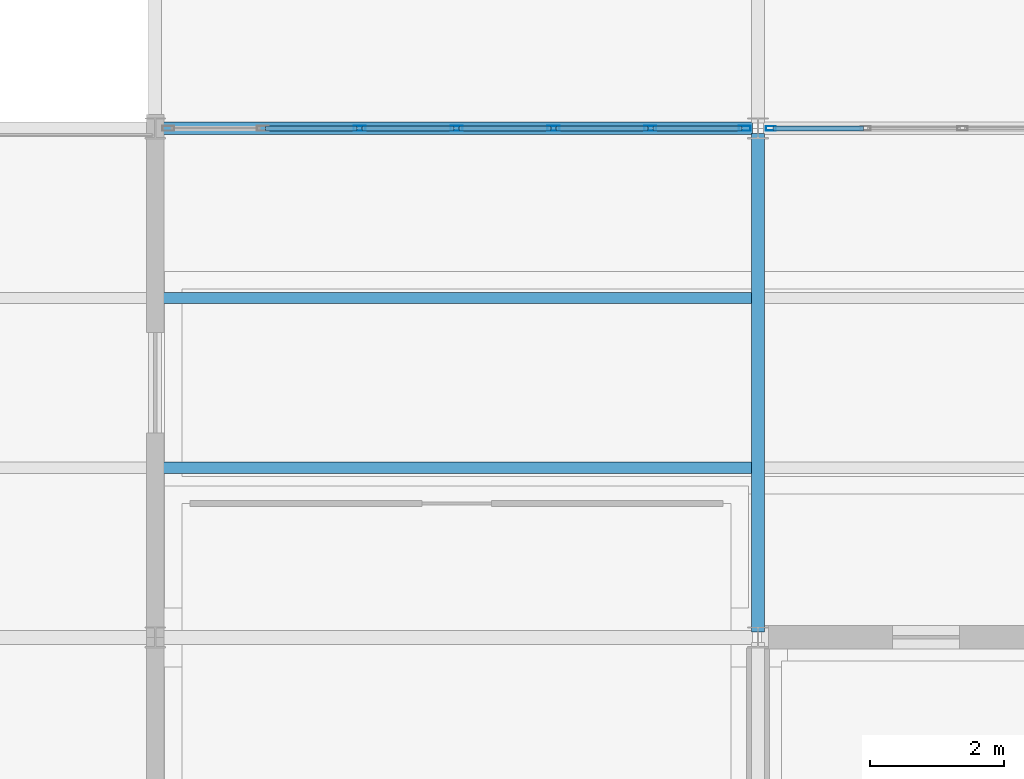
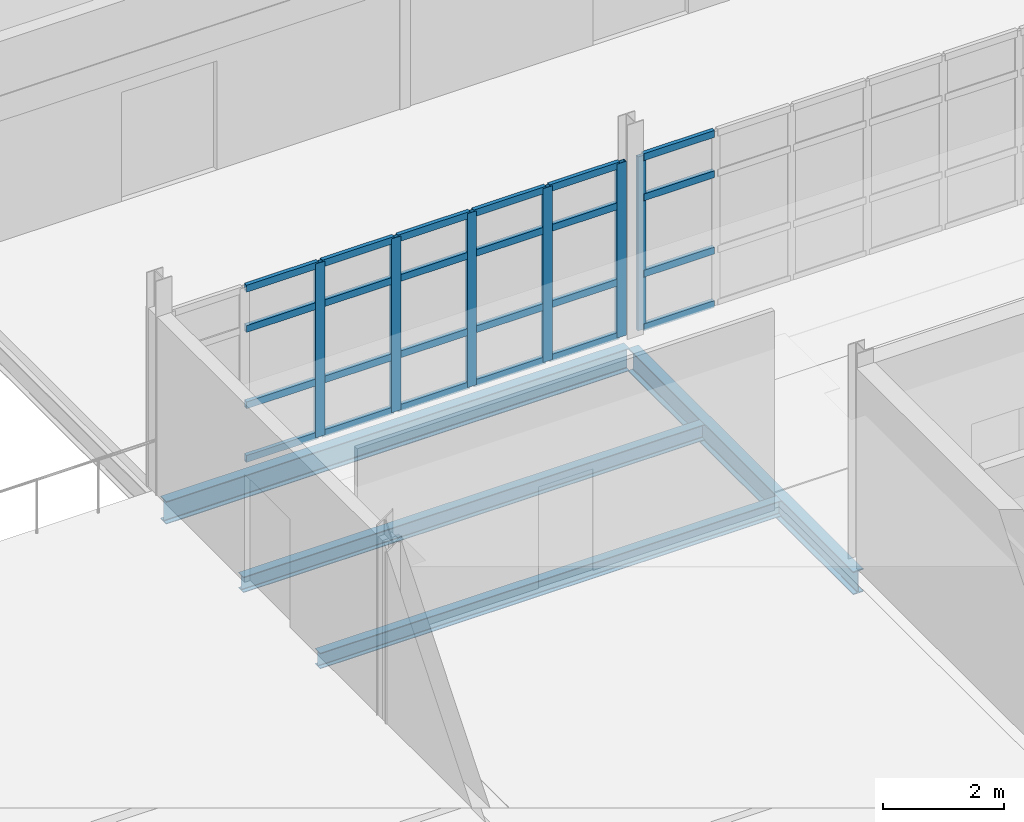
# One storey, part 34 of 166: 30 members, 4 beams, 2 elements without a shape of their own.
"""IFC4 building model written with IfcOpenShell, lengths in metres."""

from ifc_helpers import new_model, si_unit, direction, frame, origin, origin_2d, place, context, subcontext, project, spatial, hollow_rectangle, i_section, extrude, material, material_profile, profile_set, type_object, element, aggregate, save


model = new_model("IFC4")

# Units and contexts
model_context = context("Model", 3, precision=1e-05, world=origin(), true_north=direction((0.0, 1.0)))
body_context = subcontext(model_context, "Body", "Model", "MODEL_VIEW")
ifc_project = project(units=[si_unit("LENGTHUNIT", "METRE"), si_unit("AREAUNIT", "SQUARE_METRE"), si_unit("VOLUMEUNIT", "CUBIC_METRE"), si_unit("PLANEANGLEUNIT", "RADIAN"), si_unit("MASSUNIT", "GRAM", prefix="KILO")], contexts=[model_context])

# Site, building, storey
site_placement = place(None, origin())
site = spatial("IfcSite", under=ifc_project, at=site_placement, CompositionType="ELEMENT")
building_placement = place(site_placement, origin())
building = spatial("IfcBuilding", under=site, at=building_placement, Name="Caisbarro Railhouse Central Library", CompositionType="ELEMENT")
storey_placement = place(building_placement, frame((0.0, 0.0, 9.360107421875)))
storey = spatial("IfcBuildingStorey", under=building, at=storey_placement, Name="L02", CompositionType="ELEMENT", Elevation=9.360107421875)

# Beams
ifc_material_1 = material(Name="Steel ASTM A572 Grade 50", Category="steel")
ifc_material_profile_1 = material_profile(ifc_material_1, i_section(OverallWidth=0.194091796875, OverallDepth=0.468994140625, WebThickness=0.0126953125, FlangeThickness=0.0205078125, FilletRadius=0.01806640625, at=origin_2d()), Name="W460X106.0")
ifc_profile_set_1 = profile_set([ifc_material_profile_1], Name="Steel ASTM A572 Grade 50")
beam_type_1 = type_object("IfcBeamType", Name="BM-G07", PredefinedType="BEAM", material=ifc_profile_set_1)
beam_1_placement = place(storey_placement, frame((63.0, 15.280029296875, -0.474609375), z_axis=(0.0, 1.0, 0.0), x_axis=(-1.0, 0.0, 0.0)))
element("IfcBeam", 1, at=beam_1_placement, inside=storey, type_object=beam_type_1, Name="G07 beam L02 #1307", PredefinedType="BEAM", context=body_context, shape_type="SweptSolid", body=[
    extrude(i_section(OverallWidth=0.194091796875, OverallDepth=0.468994140625, WebThickness=0.0126953125, FlangeThickness=0.0205078125, FilletRadius=0.01806640625, at=origin_2d()), origin(), (0.0, 0.0, 1.0), 7.43994140625),
])
ifc_material_profile_2 = material_profile(ifc_material_1, i_section(OverallWidth=0.1669921875, OverallDepth=0.31689453125, WebThickness=0.007568359375, FlangeThickness=0.01318359375, FilletRadius=0.011962890625, at=origin_2d()), Name="W310X52.0")
ifc_profile_set_2 = profile_set([ifc_material_profile_2], Name="Steel ASTM A572 Grade 50")
beam_type_2 = type_object("IfcBeamType", Name="BM-J02", PredefinedType="JOIST", material=ifc_profile_set_2)
for number, where, z_axis, x_axis, name in (
    (2, (54.096923828125, 17.7333984375, -0.398681640625), (1.0, 0.0, 0.0), (0.0, 1.0, 0.0), "J02 beam L02 #1327"),
    (3, (54.096923828125, 20.2666015625, -0.398681640625), (1.0, 0.0, 0.0), (0.0, 1.0, 0.0), "J02 beam L02 #1328"),
):
    element("IfcBeam", number, at=place(storey_placement, frame(where, z_axis=z_axis, x_axis=x_axis)), inside=storey, type_object=beam_type_2, Name=name, PredefinedType="JOIST", context=body_context, shape_type="SweptSolid", body=[
        extrude(i_section(OverallWidth=0.1669921875, OverallDepth=0.31689453125, WebThickness=0.007568359375, FlangeThickness=0.01318359375, FilletRadius=0.011962890625, at=origin_2d()), origin(), (0.0, 0.0, 1.0), 8.80615234375),
    ])
ifc_material_profile_3 = material_profile(ifc_material_1, i_section(OverallWidth=0.18994140625, OverallDepth=0.45703125, WebThickness=0.009033203125, FlangeThickness=0.014404296875, FilletRadius=0.01806640625, at=origin_2d()), Name="W460X74.0")
ifc_profile_set_3 = profile_set([ifc_material_profile_3], Name="Steel ASTM A572 Grade 50")
beam_type_3 = type_object("IfcBeamType", Name="BM-SP01", PredefinedType="SPANDREL", material=ifc_profile_set_3)
beam_2_placement = place(storey_placement, frame((54.080078125, 22.800048828125, -0.468505859375), z_axis=(1.0, 0.0, 0.0), x_axis=(0.0, 1.0, 0.0)))
element("IfcBeam", 4, at=beam_2_placement, inside=storey, type_object=beam_type_3, Name="SP01 beam L02 #1296", PredefinedType="SPANDREL", context=body_context, shape_type="SweptSolid", body=[
    extrude(i_section(OverallWidth=0.18994140625, OverallDepth=0.45703125, WebThickness=0.009033203125, FlangeThickness=0.014404296875, FilletRadius=0.01806640625, at=origin_2d()), origin(), (0.0, 0.0, 1.0), 8.83984375),
])

# Curtain wall, members
ifc_material_2 = material(Name="Anodised architectural aluminium", Category="aluminium")
curtain_wall_type = type_object("IfcCurtainWallType", Name="CW-CW02", PredefinedType="NOTDEFINED", material=ifc_material_2)
curtain_wall_1_placement = place(storey_placement, origin())
curtain_wall_1 = element("IfcCurtainWall", 5, at=curtain_wall_1_placement, inside=storey, type_object=curtain_wall_type, Name="CW02 curtain wall L02 #58", PredefinedType="NOTDEFINED")
ifc_material_profile_4 = material_profile(ifc_material_2, hollow_rectangle(XDim=0.074951171875, YDim=0.179931640625, WallThickness=0.00439453125, at=origin_2d()), Name="ALU-MUL-75X180")
ifc_profile_set_4 = profile_set([ifc_material_profile_4], Name="Anodised architectural aluminium")
member_type_1 = type_object("IfcMemberType", Name="CWM-M01", PredefinedType="MULLION", material=ifc_profile_set_4)
member_1_placement = place(storey_placement, frame((57.05322265625, 22.800048828125, 0.0), z_axis=(0.0, 0.0, 1.0), x_axis=(0.0, 1.0, 0.0)))
member_1 = element("IfcMember", 6, at=member_1_placement, type_object=member_type_1, Name="CW02 mullion 3", PredefinedType="MULLION", context=body_context, shape_type="SweptSolid", body=[
    extrude(hollow_rectangle(XDim=0.074951171875, YDim=0.179931640625, WallThickness=0.00439453125, at=origin_2d()), origin(), (0.0, 0.0, 1.0), 3.510009765625),
])
member_2_placement = place(storey_placement, frame((58.5, 22.800048828125, 0.0), z_axis=(0.0, 0.0, 1.0), x_axis=(0.0, 1.0, 0.0)))
member_2 = element("IfcMember", 7, at=member_2_placement, type_object=member_type_1, Name="CW02 mullion 4", PredefinedType="MULLION", context=body_context, shape_type="SweptSolid", body=[
    extrude(hollow_rectangle(XDim=0.074951171875, YDim=0.179931640625, WallThickness=0.00439453125, at=origin_2d()), origin(), (0.0, 0.0, 1.0), 3.510009765625),
])
member_3_placement = place(storey_placement, frame((59.94677734375, 22.800048828125, 0.0), z_axis=(0.0, 0.0, 1.0), x_axis=(0.0, 1.0, 0.0)))
member_3 = element("IfcMember", 8, at=member_3_placement, type_object=member_type_1, Name="CW02 mullion 5", PredefinedType="MULLION", context=body_context, shape_type="SweptSolid", body=[
    extrude(hollow_rectangle(XDim=0.074951171875, YDim=0.179931640625, WallThickness=0.00439453125, at=origin_2d()), origin(), (0.0, 0.0, 1.0), 3.510009765625),
])
member_4_placement = place(storey_placement, frame((61.393310546875, 22.800048828125, 0.0), z_axis=(0.0, 0.0, 1.0), x_axis=(0.0, 1.0, 0.0)))
member_4 = element("IfcMember", 9, at=member_4_placement, type_object=member_type_1, Name="CW02 mullion 6", PredefinedType="MULLION", context=body_context, shape_type="SweptSolid", body=[
    extrude(hollow_rectangle(XDim=0.074951171875, YDim=0.179931640625, WallThickness=0.00439453125, at=origin_2d()), origin(), (0.0, 0.0, 1.0), 3.510009765625),
])
member_5_placement = place(storey_placement, frame((62.802490234375, 22.800048828125, 0.0), z_axis=(0.0, 0.0, 1.0), x_axis=(0.0, 1.0, 0.0)))
member_5 = element("IfcMember", 10, at=member_5_placement, type_object=member_type_1, Name="CW02 mullion 7", PredefinedType="MULLION", context=body_context, shape_type="SweptSolid", body=[
    extrude(hollow_rectangle(XDim=0.074951171875, YDim=0.179931640625, WallThickness=0.00439453125, at=origin_2d()), origin(), (0.0, 0.0, 1.0), 3.510009765625),
])

# Curtain wall, member
curtain_wall_2_placement = place(storey_placement, origin())
curtain_wall_2 = element("IfcCurtainWall", 11, at=curtain_wall_2_placement, inside=storey, type_object=curtain_wall_type, Name="CW02 curtain wall L02 #59", PredefinedType="NOTDEFINED")
ifc_material_profile_5 = material_profile(ifc_material_2, hollow_rectangle(XDim=0.06494140625, YDim=0.14990234375, WallThickness=0.00390625, at=origin_2d()), Name="ALU-MUL-65X150")
ifc_profile_set_5 = profile_set([ifc_material_profile_5], Name="Anodised architectural aluminium")
member_type_2 = type_object("IfcMemberType", Name="CWM-M02", PredefinedType="MULLION", material=ifc_profile_set_5)
member_6_placement = place(storey_placement, frame((63.1923828125, 22.800048828125, 0.0), z_axis=(0.0, 0.0, 1.0), x_axis=(0.0, 1.0, 0.0)))
member_6 = element("IfcMember", 12, at=member_6_placement, type_object=member_type_2, Name="CW02 mullion 1", PredefinedType="MULLION", context=body_context, shape_type="SweptSolid", body=[
    extrude(hollow_rectangle(XDim=0.06494140625, YDim=0.14990234375, WallThickness=0.00390625, at=origin_2d()), origin(), (0.0, 0.0, 1.0), 3.510009765625),
])

# Member
ifc_material_profile_6 = material_profile(ifc_material_2, hollow_rectangle(XDim=0.074951171875, YDim=0.139892578125, WallThickness=0.00390625, at=origin_2d()), Name="ALU-TRN-75X140")
ifc_profile_set_6 = profile_set([ifc_material_profile_6], Name="Anodised architectural aluminium")
member_type_3 = type_object("IfcMemberType", Name="CWT-T01", PredefinedType="USERDEFINED", material=ifc_profile_set_6)
member_7_placement = place(storey_placement, frame((55.644287109375, 22.800048828125, 0.037353515625), z_axis=(1.0, 0.0, 0.0), x_axis=(0.0, 1.0, 0.0)))
member_7 = element("IfcMember", 13, at=member_7_placement, type_object=member_type_3, Name="CW02 transom 2.1", ObjectType="TRANSOM", PredefinedType="USERDEFINED", context=body_context, shape_type="SweptSolid", body=[
    extrude(hollow_rectangle(XDim=0.074951171875, YDim=0.139892578125, WallThickness=0.00390625, at=origin_2d()), origin(), (0.0, 0.0, 1.0), 1.37158203125),
])

member_8_placement = place(storey_placement, frame((55.644287109375, 22.800048828125, 1.119873046875), z_axis=(1.0, 0.0, 0.0), x_axis=(0.0, 1.0, 0.0)))
member_8 = element("IfcMember", 14, at=member_8_placement, type_object=member_type_3, Name="CW02 transom 2.2", ObjectType="TRANSOM", PredefinedType="USERDEFINED", context=body_context, shape_type="SweptSolid", body=[
    extrude(hollow_rectangle(XDim=0.074951171875, YDim=0.139892578125, WallThickness=0.00390625, at=origin_2d()), origin(), (0.0, 0.0, 1.0), 1.37158203125),
])

member_9_placement = place(storey_placement, frame((55.644287109375, 22.800048828125, 2.659912109375), z_axis=(1.0, 0.0, 0.0), x_axis=(0.0, 1.0, 0.0)))
member_9 = element("IfcMember", 15, at=member_9_placement, type_object=member_type_3, Name="CW02 transom 2.3", ObjectType="TRANSOM", PredefinedType="USERDEFINED", context=body_context, shape_type="SweptSolid", body=[
    extrude(hollow_rectangle(XDim=0.074951171875, YDim=0.139892578125, WallThickness=0.00390625, at=origin_2d()), origin(), (0.0, 0.0, 1.0), 1.37158203125),
])

member_10_placement = place(storey_placement, frame((55.644287109375, 22.800048828125, 3.472412109375), z_axis=(1.0, 0.0, 0.0), x_axis=(0.0, 1.0, 0.0)))
member_10 = element("IfcMember", 16, at=member_10_placement, type_object=member_type_3, Name="CW02 transom 2.4", ObjectType="TRANSOM", PredefinedType="USERDEFINED", context=body_context, shape_type="SweptSolid", body=[
    extrude(hollow_rectangle(XDim=0.074951171875, YDim=0.139892578125, WallThickness=0.00390625, at=origin_2d()), origin(), (0.0, 0.0, 1.0), 1.37158203125),
])

member_11_placement = place(storey_placement, frame((57.0908203125, 22.800048828125, 0.037353515625), z_axis=(1.0, 0.0, 0.0), x_axis=(0.0, 1.0, 0.0)))
member_11 = element("IfcMember", 17, at=member_11_placement, type_object=member_type_3, Name="CW02 transom 3.1", ObjectType="TRANSOM", PredefinedType="USERDEFINED", context=body_context, shape_type="SweptSolid", body=[
    extrude(hollow_rectangle(XDim=0.074951171875, YDim=0.139892578125, WallThickness=0.00390625, at=origin_2d()), origin(), (0.0, 0.0, 1.0), 1.37158203125),
])

member_12_placement = place(storey_placement, frame((57.0908203125, 22.800048828125, 1.119873046875), z_axis=(1.0, 0.0, 0.0), x_axis=(0.0, 1.0, 0.0)))
member_12 = element("IfcMember", 18, at=member_12_placement, type_object=member_type_3, Name="CW02 transom 3.2", ObjectType="TRANSOM", PredefinedType="USERDEFINED", context=body_context, shape_type="SweptSolid", body=[
    extrude(hollow_rectangle(XDim=0.074951171875, YDim=0.139892578125, WallThickness=0.00390625, at=origin_2d()), origin(), (0.0, 0.0, 1.0), 1.37158203125),
])

member_13_placement = place(storey_placement, frame((57.0908203125, 22.800048828125, 2.659912109375), z_axis=(1.0, 0.0, 0.0), x_axis=(0.0, 1.0, 0.0)))
member_13 = element("IfcMember", 19, at=member_13_placement, type_object=member_type_3, Name="CW02 transom 3.3", ObjectType="TRANSOM", PredefinedType="USERDEFINED", context=body_context, shape_type="SweptSolid", body=[
    extrude(hollow_rectangle(XDim=0.074951171875, YDim=0.139892578125, WallThickness=0.00390625, at=origin_2d()), origin(), (0.0, 0.0, 1.0), 1.37158203125),
])

member_14_placement = place(storey_placement, frame((57.0908203125, 22.800048828125, 3.472412109375), z_axis=(1.0, 0.0, 0.0), x_axis=(0.0, 1.0, 0.0)))
member_14 = element("IfcMember", 20, at=member_14_placement, type_object=member_type_3, Name="CW02 transom 3.4", ObjectType="TRANSOM", PredefinedType="USERDEFINED", context=body_context, shape_type="SweptSolid", body=[
    extrude(hollow_rectangle(XDim=0.074951171875, YDim=0.139892578125, WallThickness=0.00390625, at=origin_2d()), origin(), (0.0, 0.0, 1.0), 1.37158203125),
])

member_15_placement = place(storey_placement, frame((58.53759765625, 22.800048828125, 0.037353515625), z_axis=(1.0, 0.0, 0.0), x_axis=(0.0, 1.0, 0.0)))
member_15 = element("IfcMember", 21, at=member_15_placement, type_object=member_type_3, Name="CW02 transom 4.1", ObjectType="TRANSOM", PredefinedType="USERDEFINED", context=body_context, shape_type="SweptSolid", body=[
    extrude(hollow_rectangle(XDim=0.074951171875, YDim=0.139892578125, WallThickness=0.00390625, at=origin_2d()), origin(), (0.0, 0.0, 1.0), 1.37158203125),
])

member_16_placement = place(storey_placement, frame((58.53759765625, 22.800048828125, 1.119873046875), z_axis=(1.0, 0.0, 0.0), x_axis=(0.0, 1.0, 0.0)))
member_16 = element("IfcMember", 22, at=member_16_placement, type_object=member_type_3, Name="CW02 transom 4.2", ObjectType="TRANSOM", PredefinedType="USERDEFINED", context=body_context, shape_type="SweptSolid", body=[
    extrude(hollow_rectangle(XDim=0.074951171875, YDim=0.139892578125, WallThickness=0.00390625, at=origin_2d()), origin(), (0.0, 0.0, 1.0), 1.37158203125),
])

member_17_placement = place(storey_placement, frame((58.53759765625, 22.800048828125, 2.659912109375), z_axis=(1.0, 0.0, 0.0), x_axis=(0.0, 1.0, 0.0)))
member_17 = element("IfcMember", 23, at=member_17_placement, type_object=member_type_3, Name="CW02 transom 4.3", ObjectType="TRANSOM", PredefinedType="USERDEFINED", context=body_context, shape_type="SweptSolid", body=[
    extrude(hollow_rectangle(XDim=0.074951171875, YDim=0.139892578125, WallThickness=0.00390625, at=origin_2d()), origin(), (0.0, 0.0, 1.0), 1.37158203125),
])

member_18_placement = place(storey_placement, frame((58.53759765625, 22.800048828125, 3.472412109375), z_axis=(1.0, 0.0, 0.0), x_axis=(0.0, 1.0, 0.0)))
member_18 = element("IfcMember", 24, at=member_18_placement, type_object=member_type_3, Name="CW02 transom 4.4", ObjectType="TRANSOM", PredefinedType="USERDEFINED", context=body_context, shape_type="SweptSolid", body=[
    extrude(hollow_rectangle(XDim=0.074951171875, YDim=0.139892578125, WallThickness=0.00390625, at=origin_2d()), origin(), (0.0, 0.0, 1.0), 1.37158203125),
])

member_19_placement = place(storey_placement, frame((59.984130859375, 22.800048828125, 0.037353515625), z_axis=(1.0, 0.0, 0.0), x_axis=(0.0, 1.0, 0.0)))
member_19 = element("IfcMember", 25, at=member_19_placement, type_object=member_type_3, Name="CW02 transom 5.1", ObjectType="TRANSOM", PredefinedType="USERDEFINED", context=body_context, shape_type="SweptSolid", body=[
    extrude(hollow_rectangle(XDim=0.074951171875, YDim=0.139892578125, WallThickness=0.00390625, at=origin_2d()), origin(), (0.0, 0.0, 1.0), 1.37158203125),
])

member_20_placement = place(storey_placement, frame((59.984130859375, 22.800048828125, 1.119873046875), z_axis=(1.0, 0.0, 0.0), x_axis=(0.0, 1.0, 0.0)))
member_20 = element("IfcMember", 26, at=member_20_placement, type_object=member_type_3, Name="CW02 transom 5.2", ObjectType="TRANSOM", PredefinedType="USERDEFINED", context=body_context, shape_type="SweptSolid", body=[
    extrude(hollow_rectangle(XDim=0.074951171875, YDim=0.139892578125, WallThickness=0.00390625, at=origin_2d()), origin(), (0.0, 0.0, 1.0), 1.37158203125),
])

member_21_placement = place(storey_placement, frame((59.984130859375, 22.800048828125, 2.659912109375), z_axis=(1.0, 0.0, 0.0), x_axis=(0.0, 1.0, 0.0)))
member_21 = element("IfcMember", 27, at=member_21_placement, type_object=member_type_3, Name="CW02 transom 5.3", ObjectType="TRANSOM", PredefinedType="USERDEFINED", context=body_context, shape_type="SweptSolid", body=[
    extrude(hollow_rectangle(XDim=0.074951171875, YDim=0.139892578125, WallThickness=0.00390625, at=origin_2d()), origin(), (0.0, 0.0, 1.0), 1.37158203125),
])

member_22_placement = place(storey_placement, frame((59.984130859375, 22.800048828125, 3.472412109375), z_axis=(1.0, 0.0, 0.0), x_axis=(0.0, 1.0, 0.0)))
member_22 = element("IfcMember", 28, at=member_22_placement, type_object=member_type_3, Name="CW02 transom 5.4", ObjectType="TRANSOM", PredefinedType="USERDEFINED", context=body_context, shape_type="SweptSolid", body=[
    extrude(hollow_rectangle(XDim=0.074951171875, YDim=0.139892578125, WallThickness=0.00390625, at=origin_2d()), origin(), (0.0, 0.0, 1.0), 1.37158203125),
])

member_23_placement = place(storey_placement, frame((61.430908203125, 22.800048828125, 0.037353515625), z_axis=(1.0, 0.0, 0.0), x_axis=(0.0, 1.0, 0.0)))
member_23 = element("IfcMember", 29, at=member_23_placement, type_object=member_type_3, Name="CW02 transom 6.1", ObjectType="TRANSOM", PredefinedType="USERDEFINED", context=body_context, shape_type="SweptSolid", body=[
    extrude(hollow_rectangle(XDim=0.074951171875, YDim=0.139892578125, WallThickness=0.00390625, at=origin_2d()), origin(), (0.0, 0.0, 1.0), 1.333984375),
])

member_24_placement = place(storey_placement, frame((61.430908203125, 22.800048828125, 1.119873046875), z_axis=(1.0, 0.0, 0.0), x_axis=(0.0, 1.0, 0.0)))
member_24 = element("IfcMember", 30, at=member_24_placement, type_object=member_type_3, Name="CW02 transom 6.2", ObjectType="TRANSOM", PredefinedType="USERDEFINED", context=body_context, shape_type="SweptSolid", body=[
    extrude(hollow_rectangle(XDim=0.074951171875, YDim=0.139892578125, WallThickness=0.00390625, at=origin_2d()), origin(), (0.0, 0.0, 1.0), 1.333984375),
])

member_25_placement = place(storey_placement, frame((61.430908203125, 22.800048828125, 2.659912109375), z_axis=(1.0, 0.0, 0.0), x_axis=(0.0, 1.0, 0.0)))
member_25 = element("IfcMember", 31, at=member_25_placement, type_object=member_type_3, Name="CW02 transom 6.3", ObjectType="TRANSOM", PredefinedType="USERDEFINED", context=body_context, shape_type="SweptSolid", body=[
    extrude(hollow_rectangle(XDim=0.074951171875, YDim=0.139892578125, WallThickness=0.00390625, at=origin_2d()), origin(), (0.0, 0.0, 1.0), 1.333984375),
])

member_26_placement = place(storey_placement, frame((61.430908203125, 22.800048828125, 3.472412109375), z_axis=(1.0, 0.0, 0.0), x_axis=(0.0, 1.0, 0.0)))
member_26 = element("IfcMember", 32, at=member_26_placement, type_object=member_type_3, Name="CW02 transom 6.4", ObjectType="TRANSOM", PredefinedType="USERDEFINED", context=body_context, shape_type="SweptSolid", body=[
    extrude(hollow_rectangle(XDim=0.074951171875, YDim=0.139892578125, WallThickness=0.00390625, at=origin_2d()), origin(), (0.0, 0.0, 1.0), 1.333984375),
])

aggregate(curtain_wall_1, [member_1, member_2, member_3, member_4, member_5, member_7, member_8, member_9, member_10, member_11, member_12, member_13, member_14, member_15, member_16, member_17, member_18, member_19, member_20, member_21, member_22, member_23, member_24, member_25, member_26])

member_27_placement = place(storey_placement, frame((63.22509765625, 22.800048828125, 0.037353515625), z_axis=(1.0, 0.0, 0.0), x_axis=(0.0, 1.0, 0.0)))
member_27 = element("IfcMember", 33, at=member_27_placement, type_object=member_type_3, Name="CW02 transom 1.1", ObjectType="TRANSOM", PredefinedType="USERDEFINED", context=body_context, shape_type="SweptSolid", body=[
    extrude(hollow_rectangle(XDim=0.074951171875, YDim=0.139892578125, WallThickness=0.00390625, at=origin_2d()), origin(), (0.0, 0.0, 1.0), 1.34912109375),
])

member_28_placement = place(storey_placement, frame((63.22509765625, 22.800048828125, 1.119873046875), z_axis=(1.0, 0.0, 0.0), x_axis=(0.0, 1.0, 0.0)))
member_28 = element("IfcMember", 34, at=member_28_placement, type_object=member_type_3, Name="CW02 transom 1.2", ObjectType="TRANSOM", PredefinedType="USERDEFINED", context=body_context, shape_type="SweptSolid", body=[
    extrude(hollow_rectangle(XDim=0.074951171875, YDim=0.139892578125, WallThickness=0.00390625, at=origin_2d()), origin(), (0.0, 0.0, 1.0), 1.34912109375),
])

member_29_placement = place(storey_placement, frame((63.22509765625, 22.800048828125, 2.659912109375), z_axis=(1.0, 0.0, 0.0), x_axis=(0.0, 1.0, 0.0)))
member_29 = element("IfcMember", 35, at=member_29_placement, type_object=member_type_3, Name="CW02 transom 1.3", ObjectType="TRANSOM", PredefinedType="USERDEFINED", context=body_context, shape_type="SweptSolid", body=[
    extrude(hollow_rectangle(XDim=0.074951171875, YDim=0.139892578125, WallThickness=0.00390625, at=origin_2d()), origin(), (0.0, 0.0, 1.0), 1.34912109375),
])

member_30_placement = place(storey_placement, frame((63.22509765625, 22.800048828125, 3.472412109375), z_axis=(1.0, 0.0, 0.0), x_axis=(0.0, 1.0, 0.0)))
member_30 = element("IfcMember", 36, at=member_30_placement, type_object=member_type_3, Name="CW02 transom 1.4", ObjectType="TRANSOM", PredefinedType="USERDEFINED", context=body_context, shape_type="SweptSolid", body=[
    extrude(hollow_rectangle(XDim=0.074951171875, YDim=0.139892578125, WallThickness=0.00390625, at=origin_2d()), origin(), (0.0, 0.0, 1.0), 1.34912109375),
])

aggregate(curtain_wall_2, [member_6, member_27, member_28, member_29, member_30])

save(model, "model.ifc")
